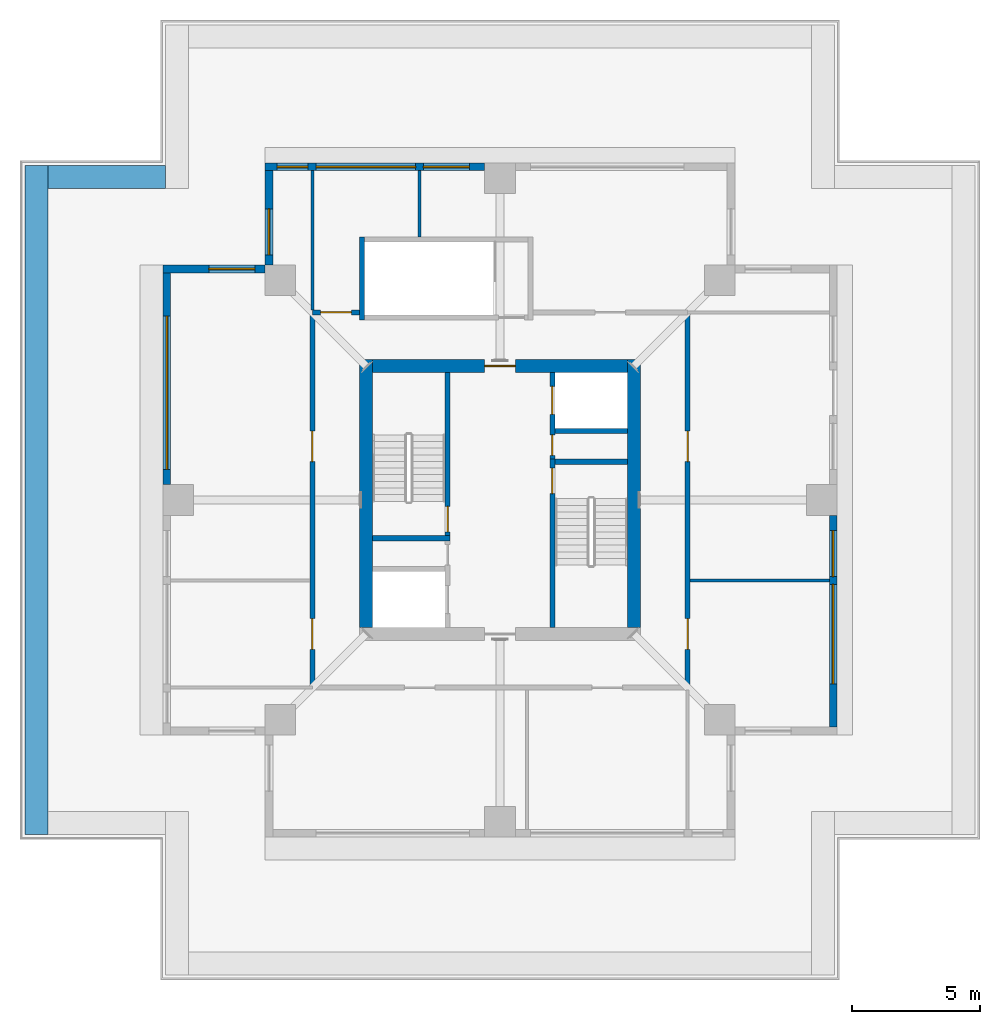
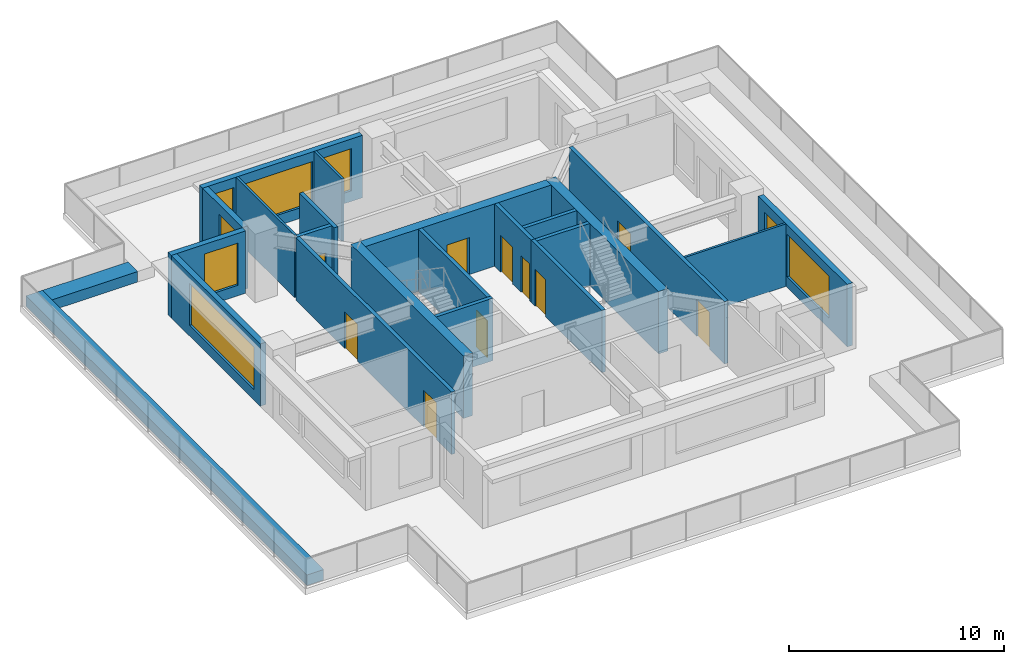
# One storey, part 4 of 8: 23 walls, 10 doors, 8 windows, 18 openings.
"""IFC4 building model written with IfcOpenShell, lengths in metres."""

import ifcopenshell
import ifcopenshell.guid

model = None  # the IFC model being written
_history = None  # IfcOwnerHistory: only IFC2X3 demands one
_inside = {}  # id of a spatial element -> (the spatial element, [elements in it])
_under = {}  # id of a project, library or spatial element -> (it, [spatial elements below it])
_declared = {}  # id of a project -> (the project, [libraries it declares])
_typed = {}  # id of a type object -> (the type object, [elements of that type])
_made_of = {}  # id of a material, layer set ... -> (it, [elements and type objects made of it])


def new_model(schema):
    """Start an empty IFC model of exactly this schema.

    Asked for "IFC4X3", IfcOpenShell would pick the latest addendum, in which some entities
    have other attributes; the version numbers below select the first issue.
    IFC2X3 requires an IfcOwnerHistory on every rooted entity: one is made here for all.
    """
    global model, _history
    if schema == "IFC4X3":
        model = ifcopenshell.file(schema_version=(4, 3, 0, 0))
    else:
        model = ifcopenshell.file(schema=schema)
    _inside.clear()
    _under.clear()
    _declared.clear()
    _typed.clear()
    _made_of.clear()
    _history = None
    if model.schema == "IFC2X3":
        org = make("IfcOrganization", Name="unknown")
        user = make(
            "IfcPersonAndOrganization",
            ThePerson=make("IfcPerson", FamilyName="unknown"),
            TheOrganization=org,
        )
        app = make(
            "IfcApplication",
            ApplicationDeveloper=org,
            Version="unknown",
            ApplicationFullName="unknown",
            ApplicationIdentifier="unknown",
        )
        _history = make(
            "IfcOwnerHistory",
            OwningUser=user,
            OwningApplication=app,
            ChangeAction="ADDED",
            CreationDate=0,
        )
    return model


def make(cls, **values):
    """One entity of the class cls with the attributes given. An attribute that is None is left unset."""
    return model.create_entity(
        cls, **{name: value for name, value in values.items() if value is not None}
    )


def rooted(cls, **values):
    """An entity with a GlobalId (a new one), such as an element, a storey or a relation."""
    return make(cls, GlobalId=ifcopenshell.guid.new(), OwnerHistory=_history, **values)


def si_unit(unit_type, name, prefix=None):
    """IfcSIUnit, for example si_unit("LENGTHUNIT", "METRE", prefix="MILLI")."""
    return make("IfcSIUnit", UnitType=unit_type, Prefix=prefix, Name=name)


def assignment(units):
    """IfcUnitAssignment: the units of a project."""
    return None if units is None else make("IfcUnitAssignment", Units=units)


def point(xyz):
    """IfcCartesianPoint."""
    return None if xyz is None else make("IfcCartesianPoint", Coordinates=xyz)


def direction(xyz):
    """IfcDirection."""
    return None if xyz is None else make("IfcDirection", DirectionRatios=xyz)


def frame(location, z_axis=None, x_axis=None):
    """IfcAxis2Placement3D, a coordinate frame: its origin and axes. An axis left out is left unset."""
    return make(
        "IfcAxis2Placement3D",
        Location=point(location),
        Axis=direction(z_axis),
        RefDirection=direction(x_axis),
    )


def frame_2d(location, x_axis=None):
    """IfcAxis2Placement2D, a coordinate frame in the plane: its origin and x axis."""
    return make(
        "IfcAxis2Placement2D", Location=point(location), RefDirection=direction(x_axis)
    )


def origin():
    """The frame at (0, 0, 0) with its axes left unset."""
    return frame((0.0, 0.0, 0.0))


def place(relative_to, where):
    """IfcLocalPlacement: puts the frame where relative to a parent placement (None: the world)."""
    return make(
        "IfcLocalPlacement", PlacementRelTo=relative_to, RelativePlacement=where
    )


def context(
    kind, dimensions, precision=None, world=None, true_north=None, identifier=None
):
    """IfcGeometricRepresentationContext, for example the 3D "Model" context."""
    return make(
        "IfcGeometricRepresentationContext",
        ContextIdentifier=identifier,
        ContextType=kind,
        CoordinateSpaceDimension=dimensions,
        Precision=precision,
        WorldCoordinateSystem=world,
        TrueNorth=true_north,
    )


def subcontext(parent, identifier, kind, view, scale=None):
    """IfcGeometricRepresentationSubContext, for example "Body" below "Model"."""
    return make(
        "IfcGeometricRepresentationSubContext",
        ContextIdentifier=identifier,
        ContextType=kind,
        ParentContext=parent,
        TargetScale=scale,
        TargetView=view,
    )


def project(units=None, contexts=None):
    """IfcProject with its units and contexts."""
    return rooted(
        "IfcProject",
        Name="project",
        RepresentationContexts=contexts,
        UnitsInContext=assignment(units),
    )


def spatial(cls, under=None, at=None, **own):
    """A site, building, storey or space (cls), placed at a placement, below another one or the project."""
    s = rooted(cls, ObjectPlacement=at, **own)
    if under is not None:
        _under.setdefault(under.id(), (under, []))[1].append(s)
    return s


def profile(cls, at=None, kind="AREA", **sizes):
    """A parametric profile (cls). Its sizes go by their IFC names, for example OverallWidth=200.0."""
    return make(cls, ProfileType=kind, Position=at, **sizes)


def rectangle(**sizes):
    """IfcRectangleProfileDef."""
    return profile("IfcRectangleProfileDef", **sizes)


def extrude(swept, where, along, depth):
    """IfcExtrudedAreaSolid: the profile swept, set in the frame where, extruded along a direction by depth."""
    return make(
        "IfcExtrudedAreaSolid",
        SweptArea=swept,
        Position=where,
        ExtrudedDirection=direction(along),
        Depth=depth,
    )


def shape(context_of_items, identifier, shape_type, items):
    """IfcShapeRepresentation: the items that make up one representation, for example the "Body"."""
    return make(
        "IfcShapeRepresentation",
        ContextOfItems=context_of_items,
        RepresentationIdentifier=identifier,
        RepresentationType=shape_type,
        Items=items,
    )


def material(Name=None, Category=None):
    """IfcMaterial."""
    return make("IfcMaterial", Name=Name, Category=Category)


def layer(
    of_material, thickness, ventilated=None, Name=None, Category=None, Priority=None
):
    """IfcMaterialLayer: one layer of a wall or slab, of a material (None: an air gap)."""
    return make(
        "IfcMaterialLayer",
        Material=of_material,
        LayerThickness=thickness,
        IsVentilated=ventilated,
        Name=Name,
        Category=Category,
        Priority=Priority,
    )


def layer_set(layers, Name=None):
    """IfcMaterialLayerSet."""
    return make("IfcMaterialLayerSet", MaterialLayers=layers, LayerSetName=Name)


def made_of(thing, what):
    """Note that an element or type object is made of a material, layer set ...; save() writes the relation."""
    if what is not None:
        _made_of.setdefault(what.id(), (what, []))[1].append(thing)
    return thing


def type_object(cls, material=None, **own):
    """A type object (cls), such as IfcWallType, which elements share."""
    return made_of(rooted(cls, **own), material)


def element(
    cls,
    number,
    at=None,
    inside=None,
    cuts=None,
    type_object=None,
    material=None,
    context=None,
    identifier="Body",
    shape_type=None,
    held_by="IfcProductDefinitionShape",
    body=None,
    shapes=None,
    **own,
):
    """One element of the class cls, such as IfcWall. Its Tag is "e" and its number.

    at: its placement. inside: the storey or other place that contains it. cuts: it is an
    opening in that element (IfcRelVoidsElement). A single representation is given by context,
    identifier, shape_type and body (its items); several are given by shapes. held_by: the class
    of the entity that holds the representations. save() writes the other relations.
    """
    e = rooted(cls, Tag="e%d" % number, ObjectPlacement=at, **own)
    if body is not None:
        shapes = [shape(context, identifier, shape_type, body)]
    if shapes is not None:
        e.Representation = make(held_by, Representations=shapes)
    if inside is not None:
        _inside.setdefault(inside.id(), (inside, []))[1].append(e)
    if cuts is not None:
        rooted(
            "IfcRelVoidsElement", RelatingBuildingElement=cuts, RelatedOpeningElement=e
        )
    if type_object is not None:
        _typed.setdefault(type_object.id(), (type_object, []))[1].append(e)
    return made_of(e, material)


def fill(opening, filler):
    """IfcRelFillsElement: the door or window that sits in an opening."""
    return rooted(
        "IfcRelFillsElement",
        RelatingOpeningElement=opening,
        RelatedBuildingElement=filler,
    )


def aggregate(whole, parts):
    """IfcRelAggregates: a whole, such as a stair, and the parts it consists of."""
    return rooted("IfcRelAggregates", RelatingObject=whole, RelatedObjects=parts)


def save(model, path):
    """Write the relations noted so far, then the file.

    IfcRelAggregates (storeys below a building ...), IfcRelContainedInSpatialStructure (elements
    in a storey), IfcRelDefinesByType, IfcRelAssociatesMaterial and IfcRelDeclares: one each for
    every whole, place, type object, material and project.
    """
    for whole, parts in _under.values():
        aggregate(whole, parts)
    for where, things in _inside.values():
        rooted(
            "IfcRelContainedInSpatialStructure",
            RelatedElements=things,
            RelatingStructure=where,
        )
    for kind, things in _typed.values():
        rooted("IfcRelDefinesByType", RelatedObjects=things, RelatingType=kind)
    for what, things in _made_of.values():
        rooted("IfcRelAssociatesMaterial", RelatedObjects=things, RelatingMaterial=what)
    for by, libraries in _declared.values():
        rooted("IfcRelDeclares", RelatingContext=by, RelatedDefinitions=libraries)
    model.write(path)


model = new_model("IFC4")

# Units and contexts
model_context = context("Model", 3, precision=1e-05, world=origin(), true_north=direction((0.0, 1.0)))
body_context = subcontext(model_context, "Body", "Model", "MODEL_VIEW")
ifc_project = project(units=[si_unit("LENGTHUNIT", "METRE"), si_unit("AREAUNIT", "SQUARE_METRE"), si_unit("VOLUMEUNIT", "CUBIC_METRE"), si_unit("PLANEANGLEUNIT", "RADIAN"), si_unit("MASSUNIT", "GRAM", prefix="KILO")], contexts=[model_context])

# Site, building, storey
site_placement = place(None, origin())
site = spatial("IfcSite", under=ifc_project, at=site_placement, CompositionType="ELEMENT")
building_placement = place(site_placement, origin())
building = spatial("IfcBuilding", under=site, at=building_placement, Name="Khepri Terraces", CompositionType="ELEMENT")
storey_placement = place(building_placement, frame((0.0, 0.0, 312.300048828125)))
storey = spatial("IfcBuildingStorey", under=building, at=storey_placement, Name="L75", CompositionType="ELEMENT", Elevation=312.300048828125)

# Wall, opening, door
ifc_material_1 = material(Name="Concrete C40/50", Category="concrete")
ifc_layer_1 = layer(ifc_material_1, 0.199951171875, Name="Concrete C40/50", Category="concrete")
ifc_layer_set_1 = layer_set([ifc_layer_1], Name="Concrete C40/50")
wall_type_1 = type_object("IfcWallType", Name="Core wall 200 C40/50", PredefinedType="SHEAR", material=ifc_layer_set_1)
wall_1_placement = place(storey_placement, frame((2.050048828125, -5.0, 0.0), z_axis=(0.0, 0.0, 1.0), x_axis=(0.0, 1.0, 0.0)))
wall_1 = element("IfcWall", 1, at=wall_1_placement, inside=storey, type_object=wall_type_1, Name="Core wall ST01 L75", PredefinedType="SHEAR", context=body_context, shape_type="SweptSolid", body=[
    extrude(rectangle(XDim=6.60009765625, YDim=0.199951171875, at=frame_2d((3.300048828125, 0.0))), origin(), (0.0, 0.0, 1.0), 3.550048828125),
])
opening_1_placement = place(wall_1_placement, frame((5.25, 0.0, 0.0)))
opening_1 = element("IfcOpeningElement", 2, at=opening_1_placement, cuts=wall_1, Name="Opening L75-C04", PredefinedType="OPENING", context=body_context, shape_type="SweptSolid", body=[
    extrude(rectangle(XDim=1.0, YDim=2.10009765625, at=frame_2d((0.5, 1.050048828125))), frame((0.0, 0.10986328125, 0.0), z_axis=(0.0, -1.0, 0.0), x_axis=(1.0, 0.0, 0.0)), (0.0, 0.0, 1.0), 0.219970703125),
])
ifc_material_2 = material(Name="Painted steel", Category="steel")
door_type_1 = type_object("IfcDoorType", Name="DR-CORE-STAIR-1000", OperationType="NOTDEFINED", PredefinedType="DOOR", material=ifc_material_2)
door_1_placement = place(opening_1_placement, frame((1.0, 0.0, 0.0), z_axis=(0.0, 0.0, 1.0), x_axis=(-1.0, 0.0, 0.0)))
door_1 = element("IfcDoor", 3, at=door_1_placement, inside=storey, type_object=door_type_1, Name="Stair door L75-C04", OperationType="SINGLE_SWING_LEFT", OverallHeight=2.10009765625, OverallWidth=1.0, PredefinedType="DOOR", context=body_context, shape_type="SweptSolid", body=[
    extrude(rectangle(XDim=1.0, YDim=2.10009765625, at=frame_2d((0.5, 1.050048828125))), frame((0.0, 0.02490234375, 0.0), z_axis=(0.0, -1.0, 0.0), x_axis=(1.0, 0.0, 0.0)), (0.0, 0.0, 1.0), 0.050048828125),
])
fill(opening_1, door_1)

# Wall
wall_2_placement = place(storey_placement, frame((-5.0, -1.5, 0.0), z_axis=(0.0, 0.0, 1.0), x_axis=(1.0, 0.0, 0.0)))
element("IfcWall", 4, at=wall_2_placement, inside=storey, type_object=wall_type_1, Name="Core wall ST02 L75", PredefinedType="SHEAR", context=body_context, shape_type="SweptSolid", body=[
    extrude(rectangle(XDim=3.050048828125, YDim=0.199951171875, at=frame_2d((1.52490234375, 0.0))), origin(), (0.0, 0.0, 1.0), 3.550048828125),
])

# Wall, opening, door
wall_3_placement = place(storey_placement, frame((-2.050048828125, -1.39990234375, 0.0), z_axis=(0.0, 0.0, 1.0), x_axis=(0.0, 1.0, 0.0)))
wall_3 = element("IfcWall", 5, at=wall_3_placement, inside=storey, type_object=wall_type_1, Name="Core wall ST03 L75", PredefinedType="SHEAR", context=body_context, shape_type="SweptSolid", body=[
    extrude(rectangle(XDim=6.39990234375, YDim=0.199951171875, at=frame_2d((3.199951171875, 0.0))), origin(), (0.0, 0.0, 1.0), 3.550048828125),
])
opening_2_placement = place(wall_3_placement, frame((0.14990234375, 0.0, 0.0)))
opening_2 = element("IfcOpeningElement", 6, at=opening_2_placement, cuts=wall_3, Name="Opening L75-C03", PredefinedType="OPENING", context=body_context, shape_type="SweptSolid", body=[
    extrude(rectangle(XDim=1.0, YDim=2.10009765625, at=frame_2d((0.5, 1.050048828125))), frame((0.0, 0.10986328125, 0.0), z_axis=(0.0, -1.0, 0.0), x_axis=(1.0, 0.0, 0.0)), (0.0, 0.0, 1.0), 0.219970703125),
])
door_2_placement = place(opening_2_placement, origin())
door_2 = element("IfcDoor", 7, at=door_2_placement, inside=storey, type_object=door_type_1, Name="Stair door L75-C03", OperationType="SINGLE_SWING_LEFT", OverallHeight=2.10009765625, OverallWidth=1.0, PredefinedType="DOOR", context=body_context, shape_type="SweptSolid", body=[
    extrude(rectangle(XDim=1.0, YDim=2.10009765625, at=frame_2d((0.5, 1.050048828125))), frame((0.0, 0.02490234375, 0.0), z_axis=(0.0, -1.0, 0.0), x_axis=(1.0, 0.0, 0.0)), (0.0, 0.0, 1.0), 0.050048828125),
])
fill(opening_2, door_2)

# Wall
wall_4_placement = place(storey_placement, frame((2.14990234375, 1.5, 0.0), z_axis=(0.0, 0.0, 1.0), x_axis=(1.0, 0.0, 0.0)))
element("IfcWall", 8, at=wall_4_placement, inside=storey, type_object=wall_type_1, Name="Core wall ST04 L75", PredefinedType="SHEAR", context=body_context, shape_type="SweptSolid", body=[
    extrude(rectangle(XDim=2.85009765625, YDim=0.199951171875, at=frame_2d((1.425048828125, 0.0))), origin(), (0.0, 0.0, 1.0), 3.550048828125),
])

# Wall, openings, doors
wall_5_placement = place(storey_placement, frame((2.050048828125, 1.60009765625, 0.0), z_axis=(0.0, 0.0, 1.0), x_axis=(0.0, 1.0, 0.0)))
wall_5 = element("IfcWall", 9, at=wall_5_placement, inside=storey, type_object=wall_type_1, Name="Core wall SH03 L75", PredefinedType="SHEAR", context=body_context, shape_type="SweptSolid", body=[
    extrude(rectangle(XDim=3.39990234375, YDim=0.199951171875, at=frame_2d((1.699951171875, 0.0))), origin(), (0.0, 0.0, 1.0), 3.550048828125),
])
opening_3_placement = place(wall_5_placement, frame((1.75, 0.0, 0.0)))
opening_3 = element("IfcOpeningElement", 10, at=opening_3_placement, cuts=wall_5, Name="Opening L75-C01", PredefinedType="OPENING", context=body_context, shape_type="SweptSolid", body=[
    extrude(rectangle(XDim=1.10009765625, YDim=2.10009765625, at=frame_2d((0.550048828125, 1.050048828125))), frame((0.0, 0.10986328125, 0.0), z_axis=(0.0, -1.0, 0.0), x_axis=(1.0, 0.0, 0.0)), (0.0, 0.0, 1.0), 0.219970703125),
])
opening_4_placement = place(wall_5_placement, frame((0.14990234375, 0.0, 0.0)))
opening_4 = element("IfcOpeningElement", 11, at=opening_4_placement, cuts=wall_5, Name="Opening L75-C05", PredefinedType="OPENING", context=body_context, shape_type="SweptSolid", body=[
    extrude(rectangle(XDim=0.800048828125, YDim=2.10009765625, at=frame_2d((0.39990234375, 1.050048828125))), frame((0.0, 0.10986328125, 0.0), z_axis=(0.0, -1.0, 0.0), x_axis=(1.0, 0.0, 0.0)), (0.0, 0.0, 1.0), 0.219970703125),
])
ifc_material_3 = material(Name="Stainless steel 304", Category="steel")
door_type_2 = type_object("IfcDoorType", Name="DR-CORE-FF-LANDING-1100", OperationType="NOTDEFINED", PredefinedType="DOOR", material=ifc_material_3)
door_3_placement = place(opening_3_placement, origin())
door_3 = element("IfcDoor", 12, at=door_3_placement, inside=storey, type_object=door_type_2, Name="Firefighting lift landing door L75-C01", OperationType="SLIDING_TO_LEFT", OverallHeight=2.10009765625, OverallWidth=1.10009765625, PredefinedType="DOOR", context=body_context, shape_type="SweptSolid", body=[
    extrude(rectangle(XDim=1.10009765625, YDim=2.10009765625, at=frame_2d((0.550048828125, 1.050048828125))), frame((0.0, 0.02490234375, 0.0), z_axis=(0.0, -1.0, 0.0), x_axis=(1.0, 0.0, 0.0)), (0.0, 0.0, 1.0), 0.050048828125),
])
fill(opening_3, door_3)
door_type_3 = type_object("IfcDoorType", Name="DR-CORE-RISER-800", OperationType="NOTDEFINED", PredefinedType="DOOR", material=ifc_material_2)
door_4_placement = place(opening_4_placement, frame((0.800048828125, 0.0, 0.0), z_axis=(0.0, 0.0, 1.0), x_axis=(-1.0, 0.0, 0.0)))
door_4 = element("IfcDoor", 13, at=door_4_placement, inside=storey, type_object=door_type_3, Name="Riser door L75-C05", OperationType="SINGLE_SWING_RIGHT", OverallHeight=2.10009765625, OverallWidth=0.800048828125, PredefinedType="DOOR", context=body_context, shape_type="SweptSolid", body=[
    extrude(rectangle(XDim=0.800048828125, YDim=2.10009765625, at=frame_2d((0.39990234375, 1.050048828125))), frame((0.0, 0.02490234375, 0.0), z_axis=(0.0, -1.0, 0.0), x_axis=(1.0, 0.0, 0.0)), (0.0, 0.0, 1.0), 0.050048828125),
])
fill(opening_4, door_4)

# Walls
wall_6_placement = place(storey_placement, frame((2.14990234375, 2.699951171875, 0.0), z_axis=(0.0, 0.0, 1.0), x_axis=(1.0, 0.0, 0.0)))
element("IfcWall", 14, at=wall_6_placement, inside=storey, type_object=wall_type_1, Name="Core wall SH04 L75", PredefinedType="SHEAR", context=body_context, shape_type="SweptSolid", body=[
    extrude(rectangle(XDim=2.85009765625, YDim=0.199951171875, at=frame_2d((1.425048828125, 0.0))), origin(), (0.0, 0.0, 1.0), 3.550048828125),
])
wall_7_placement = place(storey_placement, frame((-5.39990234375, 7.050048828125, 0.0), z_axis=(0.0, 0.0, 1.0), x_axis=(0.0, 1.0, 0.0)))
element("IfcWall", 15, at=wall_7_placement, inside=storey, type_object=wall_type_1, Name="Core wall S3W L75", PredefinedType="SHEAR", context=body_context, shape_type="SweptSolid", body=[
    extrude(rectangle(XDim=3.25, YDim=0.199951171875, at=frame_2d((1.625, 0.0))), origin(), (0.0, 0.0, 1.0), 3.550048828125),
])
ifc_layer_2 = layer(ifc_material_1, 0.5, Name="Concrete C40/50", Category="concrete")
ifc_layer_set_2 = layer_set([ifc_layer_2], Name="Concrete C40/50")
wall_type_2 = type_object("IfcWallType", Name="Core wall 500 C40/50", PredefinedType="SHEAR", material=ifc_layer_set_2)
for number, where, z_axis, x_axis, name in (
    (16, (-5.25, -5.0, 0.0), (0.0, 0.0, 1.0), (0.0, 1.0, 0.0), "Core wall BX02 L75"),
    (17, (5.25, -5.0, 0.0), (0.0, 0.0, 1.0), (0.0, 1.0, 0.0), "Core wall BX03 L75"),
):
    element("IfcWall", number, at=place(storey_placement, frame(where, z_axis=z_axis, x_axis=x_axis)), inside=storey, type_object=wall_type_2, Name=name, PredefinedType="SHEAR", context=body_context, shape_type="SweptSolid", body=[
        extrude(rectangle(XDim=10.5, YDim=0.5, at=frame_2d((5.25, 0.0))), origin(), (0.0, 0.0, 1.0), 3.550048828125),
    ])

# Wall, opening, door
wall_8_placement = place(storey_placement, frame((-5.0, 5.25, 0.0), z_axis=(0.0, 0.0, 1.0), x_axis=(1.0, 0.0, 0.0)))
wall_8 = element("IfcWall", 18, at=wall_8_placement, inside=storey, type_object=wall_type_2, Name="Core wall BX04 L75", PredefinedType="SHEAR", context=body_context, shape_type="SweptSolid", body=[
    extrude(rectangle(XDim=10.0, YDim=0.5, at=frame_2d((5.0, 0.0))), origin(), (0.0, 0.0, 1.0), 3.550048828125),
])
opening_5_placement = place(wall_8_placement, frame((4.39990234375, 0.0, 0.0)))
opening_5 = element("IfcOpeningElement", 19, at=opening_5_placement, cuts=wall_8, Name="Opening L75-C08", PredefinedType="OPENING", context=body_context, shape_type="SweptSolid", body=[
    extrude(rectangle(XDim=1.199951171875, YDim=2.10009765625, at=frame_2d((0.60009765625, 1.050048828125))), frame((0.0, 0.260009765625, 0.0), z_axis=(0.0, -1.0, 0.0), x_axis=(1.0, 0.0, 0.0)), (0.0, 0.0, 1.0), 0.52001953125),
])
door_type_4 = type_object("IfcDoorType", Name="DR-CORE-FF-LOBBY-1200", OperationType="NOTDEFINED", PredefinedType="DOOR", material=ifc_material_2)
door_5_placement = place(opening_5_placement, origin())
door_5 = element("IfcDoor", 20, at=door_5_placement, inside=storey, type_object=door_type_4, Name="Firefighting lobby door L75-C08", OperationType="SINGLE_SWING_RIGHT", OverallHeight=2.10009765625, OverallWidth=1.199951171875, PredefinedType="DOOR", context=body_context, shape_type="SweptSolid", body=[
    extrude(rectangle(XDim=1.199951171875, YDim=2.10009765625, at=frame_2d((0.60009765625, 1.050048828125))), frame((0.0, 0.02490234375, 0.0), z_axis=(0.0, -1.0, 0.0), x_axis=(1.0, 0.0, 0.0)), (0.0, 0.0, 1.0), 0.050048828125),
])
fill(opening_5, door_5)

# Wall, openings, doors
ifc_material_4 = material(Name="Fire-rated gypsum plasterboard partition, mineral wool")
ifc_layer_3 = layer(ifc_material_4, 0.199951171875, Name="Fire-rated gypsum plasterboard partition, mineral wool")
ifc_layer_set_3 = layer_set([ifc_layer_3], Name="Fire-rated gypsum plasterboard partition, mineral wool")
wall_type_3 = type_object("IfcWallType", Name="WL-CORR-200", PredefinedType="PARTITIONING", material=ifc_layer_set_3)
wall_9_placement = place(storey_placement, frame((-7.35009765625, -7.25, 0.0), z_axis=(0.0, 0.0, 1.0), x_axis=(0.0, 1.0, 0.0)))
wall_9 = element("IfcWall", 21, at=wall_9_placement, inside=storey, type_object=wall_type_3, Name="Partition P-005 L75", PredefinedType="PARTITIONING", context=body_context, shape_type="SweptSolid", body=[
    extrude(rectangle(XDim=14.5, YDim=0.199951171875, at=frame_2d((7.25, 0.0))), origin(), (0.0, 0.0, 1.0), 3.550048828125),
])
opening_6_placement = place(wall_9_placement, frame((8.75, 0.0, 0.0)))
opening_6 = element("IfcOpeningElement", 22, at=opening_6_placement, cuts=wall_9, Name="Opening D6", PredefinedType="OPENING", context=body_context, shape_type="SweptSolid", body=[
    extrude(rectangle(XDim=1.199951171875, YDim=2.10009765625, at=frame_2d((0.60009765625, 1.050048828125))), frame((0.0, 0.10986328125, 0.0), z_axis=(0.0, -1.0, 0.0), x_axis=(1.0, 0.0, 0.0)), (0.0, 0.0, 1.0), 0.219970703125),
])
opening_7_placement = place(wall_9_placement, frame((1.39990234375, 0.0, 0.0)))
opening_7 = element("IfcOpeningElement", 23, at=opening_7_placement, cuts=wall_9, Name="Opening D6", PredefinedType="OPENING", context=body_context, shape_type="SweptSolid", body=[
    extrude(rectangle(XDim=1.199951171875, YDim=2.10009765625, at=frame_2d((0.60009765625, 1.050048828125))), frame((0.0, 0.10986328125, 0.0), z_axis=(0.0, -1.0, 0.0), x_axis=(1.0, 0.0, 0.0)), (0.0, 0.0, 1.0), 0.219970703125),
])
ifc_material_5 = material(Name="Timber door leaf, public room, fire-rated", Category="wood")
door_type_5 = type_object("IfcDoorType", Name="DR-PUB-1200", OperationType="NOTDEFINED", PredefinedType="DOOR", material=ifc_material_5)
door_6_placement = place(opening_6_placement, origin())
door_6 = element("IfcDoor", 24, at=door_6_placement, inside=storey, type_object=door_type_5, Name="Door Sky Gymnasium", OperationType="SINGLE_SWING_RIGHT", OverallHeight=2.10009765625, OverallWidth=1.199951171875, PredefinedType="DOOR", context=body_context, shape_type="SweptSolid", body=[
    extrude(rectangle(XDim=1.199951171875, YDim=2.10009765625, at=frame_2d((0.60009765625, 1.050048828125))), frame((0.0, 0.02490234375, 0.0), z_axis=(0.0, -1.0, 0.0), x_axis=(1.0, 0.0, 0.0)), (0.0, 0.0, 1.0), 0.050048828125),
])
fill(opening_6, door_6)
door_7_placement = place(opening_7_placement, origin())
door_7 = element("IfcDoor", 25, at=door_7_placement, inside=storey, type_object=door_type_5, Name="Door Changing Store", OperationType="SINGLE_SWING_LEFT", OverallHeight=2.10009765625, OverallWidth=1.199951171875, PredefinedType="DOOR", context=body_context, shape_type="SweptSolid", body=[
    extrude(rectangle(XDim=1.199951171875, YDim=2.10009765625, at=frame_2d((0.60009765625, 1.050048828125))), frame((0.0, 0.02490234375, 0.0), z_axis=(0.0, -1.0, 0.0), x_axis=(1.0, 0.0, 0.0)), (0.0, 0.0, 1.0), 0.050048828125),
])
fill(opening_7, door_7)

wall_10_placement = place(storey_placement, frame((7.35009765625, -7.25, 0.0), z_axis=(0.0, 0.0, 1.0), x_axis=(0.0, 1.0, 0.0)))
wall_10 = element("IfcWall", 26, at=wall_10_placement, inside=storey, type_object=wall_type_3, Name="Partition P-006 L75", PredefinedType="PARTITIONING", context=body_context, shape_type="SweptSolid", body=[
    extrude(rectangle(XDim=14.5, YDim=0.199951171875, at=frame_2d((7.25, 0.0))), origin(), (0.0, 0.0, 1.0), 3.550048828125),
])
opening_8_placement = place(wall_10_placement, frame((1.39990234375, 0.0, 0.0)))
opening_8 = element("IfcOpeningElement", 27, at=opening_8_placement, cuts=wall_10, Name="Opening D6", PredefinedType="OPENING", context=body_context, shape_type="SweptSolid", body=[
    extrude(rectangle(XDim=1.199951171875, YDim=2.10009765625, at=frame_2d((0.60009765625, 1.050048828125))), frame((0.0, 0.10986328125, 0.0), z_axis=(0.0, -1.0, 0.0), x_axis=(1.0, 0.0, 0.0)), (0.0, 0.0, 1.0), 0.219970703125),
])
opening_9_placement = place(wall_10_placement, frame((8.75, 0.0, 0.0)))
opening_9 = element("IfcOpeningElement", 28, at=opening_9_placement, cuts=wall_10, Name="Opening D6", PredefinedType="OPENING", context=body_context, shape_type="SweptSolid", body=[
    extrude(rectangle(XDim=1.199951171875, YDim=2.10009765625, at=frame_2d((0.60009765625, 1.050048828125))), frame((0.0, 0.10986328125, 0.0), z_axis=(0.0, -1.0, 0.0), x_axis=(1.0, 0.0, 0.0)), (0.0, 0.0, 1.0), 0.219970703125),
])
door_8_placement = place(opening_8_placement, frame((1.199951171875, 0.0, 0.0), z_axis=(0.0, 0.0, 1.0), x_axis=(-1.0, 0.0, 0.0)))
door_8 = element("IfcDoor", 29, at=door_8_placement, inside=storey, type_object=door_type_5, Name="Door Spa Treatment Suite", OperationType="SINGLE_SWING_RIGHT", OverallHeight=2.10009765625, OverallWidth=1.199951171875, PredefinedType="DOOR", context=body_context, shape_type="SweptSolid", body=[
    extrude(rectangle(XDim=1.199951171875, YDim=2.10009765625, at=frame_2d((0.60009765625, 1.050048828125))), frame((0.0, 0.02490234375, 0.0), z_axis=(0.0, -1.0, 0.0), x_axis=(1.0, 0.0, 0.0)), (0.0, 0.0, 1.0), 0.050048828125),
])
fill(opening_8, door_8)
door_9_placement = place(opening_9_placement, frame((1.199951171875, 0.0, 0.0), z_axis=(0.0, 0.0, 1.0), x_axis=(-1.0, 0.0, 0.0)))
door_9 = element("IfcDoor", 30, at=door_9_placement, inside=storey, type_object=door_type_5, Name="Door Treatment Room", OperationType="SINGLE_SWING_LEFT", OverallHeight=2.10009765625, OverallWidth=1.199951171875, PredefinedType="DOOR", context=body_context, shape_type="SweptSolid", body=[
    extrude(rectangle(XDim=1.199951171875, YDim=2.10009765625, at=frame_2d((0.60009765625, 1.050048828125))), frame((0.0, 0.02490234375, 0.0), z_axis=(0.0, -1.0, 0.0), x_axis=(1.0, 0.0, 0.0)), (0.0, 0.0, 1.0), 0.050048828125),
])
fill(opening_9, door_9)

# Wall, opening, door
wall_11_placement = place(storey_placement, frame((-7.35009765625, 7.35009765625, 0.0), z_axis=(0.0, 0.0, 1.0), x_axis=(1.0, 0.0, 0.0)))
wall_11 = element("IfcWall", 31, at=wall_11_placement, inside=storey, type_object=wall_type_3, Name="Partition P-009 L75", PredefinedType="PARTITIONING", context=body_context, shape_type="SweptSolid", body=[
    extrude(rectangle(XDim=1.85009765625, YDim=0.199951171875, at=frame_2d((0.925048828125, 0.0))), origin(), (0.0, 0.0, 1.0), 3.550048828125),
])
opening_10_placement = place(wall_11_placement, frame((0.324951171875, 0.0, 0.0)))
opening_10 = element("IfcOpeningElement", 32, at=opening_10_placement, cuts=wall_11, Name="Opening D6", PredefinedType="OPENING", context=body_context, shape_type="SweptSolid", body=[
    extrude(rectangle(XDim=1.199951171875, YDim=2.10009765625, at=frame_2d((0.60009765625, 1.050048828125))), frame((0.0, 0.10986328125, 0.0), z_axis=(0.0, -1.0, 0.0), x_axis=(1.0, 0.0, 0.0)), (0.0, 0.0, 1.0), 0.219970703125),
])
door_10_placement = place(opening_10_placement, origin())
door_10 = element("IfcDoor", 33, at=door_10_placement, inside=storey, type_object=door_type_5, Name="Door Wc", OperationType="SINGLE_SWING_RIGHT", OverallHeight=2.10009765625, OverallWidth=1.199951171875, PredefinedType="DOOR", context=body_context, shape_type="SweptSolid", body=[
    extrude(rectangle(XDim=1.199951171875, YDim=2.10009765625, at=frame_2d((0.60009765625, 1.050048828125))), frame((0.0, 0.02490234375, 0.0), z_axis=(0.0, -1.0, 0.0), x_axis=(1.0, 0.0, 0.0)), (0.0, 0.0, 1.0), 0.050048828125),
])
fill(opening_10, door_10)

# Wall, openings, windows
ifc_material_6 = material(Name="Precast concrete C50/60 warm stone", Category="masonry")
ifc_layer_4 = layer(ifc_material_6, 0.300048828125, Name="Precast concrete C50/60 warm stone", Category="masonry")
ifc_layer_set_4 = layer_set([ifc_layer_4], Name="Precast concrete C50/60 warm stone")
wall_type_4 = type_object("IfcWallType", Name="WL-EXT-PRECAST-300", PredefinedType="STANDARD", material=ifc_layer_set_4)
wall_12_placement = place(storey_placement, frame((13.050048828125, -8.89990234375, 0.0), z_axis=(0.0, 0.0, 1.0), x_axis=(0.0, 1.0, 0.0)))
wall_12 = element("IfcWall", 34, at=wall_12_placement, inside=storey, type_object=wall_type_4, Name="External wall L75 E", PredefinedType="STANDARD", context=body_context, shape_type="SweptSolid", body=[
    extrude(rectangle(XDim=8.2998046875, YDim=0.300048828125, at=frame_2d((4.14990234375, 0.0))), origin(), (0.0, 0.0, 1.0), 3.550048828125),
])
opening_11_placement = place(wall_12_placement, frame((1.699951171875, 0.0, 0.60009765625)))
opening_11 = element("IfcOpeningElement", 35, at=opening_11_placement, cuts=wall_12, Name="Opening WC2", PredefinedType="OPENING", context=body_context, shape_type="SweptSolid", body=[
    extrude(rectangle(XDim=3.89990234375, YDim=2.39990234375, at=frame_2d((1.949951171875, 1.199951171875))), frame((0.0, 0.16015625, 0.0), z_axis=(0.0, -1.0, 0.0), x_axis=(1.0, 0.0, 0.0)), (0.0, 0.0, 1.0), 0.320068359375),
])
opening_12_placement = place(wall_12_placement, frame((5.89990234375, 0.0, 0.60009765625)))
opening_12 = element("IfcOpeningElement", 36, at=opening_12_placement, cuts=wall_12, Name="Opening WC1", PredefinedType="OPENING", context=body_context, shape_type="SweptSolid", body=[
    extrude(rectangle(XDim=1.800048828125, YDim=2.39990234375, at=frame_2d((0.89990234375, 1.199951171875))), frame((0.0, 0.16015625, 0.0), z_axis=(0.0, -1.0, 0.0), x_axis=(1.0, 0.0, 0.0)), (0.0, 0.0, 1.0), 0.320068359375),
])
ifc_material_7 = material(Name="Clear glass", Category="glass")
window_type_1 = type_object("IfcWindowType", Name="WIN-CRN-1800x2400", PartitioningType="SINGLE_PANEL", PredefinedType="WINDOW", material=ifc_material_7)
window_1_placement = place(opening_12_placement, origin())
window_1 = element("IfcWindow", 37, at=window_1_placement, inside=storey, type_object=window_type_1, Name="Window L75 E", OverallHeight=2.39990234375, OverallWidth=1.800048828125, PartitioningType="SINGLE_PANEL", PredefinedType="WINDOW", context=body_context, shape_type="SweptSolid", body=[
    extrude(rectangle(XDim=1.800048828125, YDim=2.39990234375, at=frame_2d((0.89990234375, 1.199951171875))), frame((0.0, 0.030029296875, 0.0), z_axis=(0.0, -1.0, 0.0), x_axis=(1.0, 0.0, 0.0)), (0.0, 0.0, 1.0), 0.06005859375),
])
fill(opening_12, window_1)
window_type_2 = type_object("IfcWindowType", Name="WIN-CRN-3900x2400", PartitioningType="SINGLE_PANEL", PredefinedType="WINDOW", material=ifc_material_7)
window_2_placement = place(opening_11_placement, origin())
window_2 = element("IfcWindow", 38, at=window_2_placement, inside=storey, type_object=window_type_2, Name="Window L75 E", OverallHeight=2.39990234375, OverallWidth=3.89990234375, PartitioningType="SINGLE_PANEL", PredefinedType="WINDOW", context=body_context, shape_type="SweptSolid", body=[
    extrude(rectangle(XDim=3.89990234375, YDim=2.39990234375, at=frame_2d((1.949951171875, 1.199951171875))), frame((0.0, 0.030029296875, 0.0), z_axis=(0.0, -1.0, 0.0), x_axis=(1.0, 0.0, 0.0)), (0.0, 0.0, 1.0), 0.06005859375),
])
fill(opening_11, window_2)

wall_13_placement = place(storey_placement, frame((-0.60009765625, 13.050048828125, 0.0), z_axis=(0.0, 0.0, 1.0), x_axis=(-1.0, 0.0, 0.0)))
wall_13 = element("IfcWall", 39, at=wall_13_placement, inside=storey, type_object=wall_type_4, Name="External wall L75 N", PredefinedType="STANDARD", context=body_context, shape_type="SweptSolid", body=[
    extrude(rectangle(XDim=8.599853515625, YDim=0.300048828125, at=frame_2d((4.2998046875, 0.0))), origin(), (0.0, 0.0, 1.0), 3.550048828125),
])
opening_13_placement = place(wall_13_placement, frame((0.60009765625, 0.0, 0.60009765625)))
opening_13 = element("IfcOpeningElement", 40, at=opening_13_placement, cuts=wall_13, Name="Opening WC1", PredefinedType="OPENING", context=body_context, shape_type="SweptSolid", body=[
    extrude(rectangle(XDim=1.800048828125, YDim=2.39990234375, at=frame_2d((0.89990234375, 1.199951171875))), frame((0.0, 0.16015625, 0.0), z_axis=(0.0, -1.0, 0.0), x_axis=(1.0, 0.0, 0.0)), (0.0, 0.0, 1.0), 0.320068359375),
])
opening_14_placement = place(wall_13_placement, frame((2.699951171875, 0.0, 0.60009765625)))
opening_14 = element("IfcOpeningElement", 41, at=opening_14_placement, cuts=wall_13, Name="Opening WC2", PredefinedType="OPENING", context=body_context, shape_type="SweptSolid", body=[
    extrude(rectangle(XDim=3.89990234375, YDim=2.39990234375, at=frame_2d((1.949951171875, 1.199951171875))), frame((0.0, 0.16015625, 0.0), z_axis=(0.0, -1.0, 0.0), x_axis=(1.0, 0.0, 0.0)), (0.0, 0.0, 1.0), 0.320068359375),
])
opening_15_placement = place(wall_13_placement, frame((6.925048828125, 0.0, 0.89990234375)))
opening_15 = element("IfcOpeningElement", 42, at=opening_15_placement, cuts=wall_13, Name="Opening W4", PredefinedType="OPENING", context=body_context, shape_type="SweptSolid", body=[
    extrude(rectangle(XDim=1.199951171875, YDim=2.10009765625, at=frame_2d((0.60009765625, 1.050048828125))), frame((0.0, 0.16015625, 0.0), z_axis=(0.0, -1.0, 0.0), x_axis=(1.0, 0.0, 0.0)), (0.0, 0.0, 1.0), 0.320068359375),
])
window_3_placement = place(opening_13_placement, origin())
window_3 = element("IfcWindow", 43, at=window_3_placement, inside=storey, type_object=window_type_1, Name="Window L75 N", OverallHeight=2.39990234375, OverallWidth=1.800048828125, PartitioningType="SINGLE_PANEL", PredefinedType="WINDOW", context=body_context, shape_type="SweptSolid", body=[
    extrude(rectangle(XDim=1.800048828125, YDim=2.39990234375, at=frame_2d((0.89990234375, 1.199951171875))), frame((0.0, 0.030029296875, 0.0), z_axis=(0.0, -1.0, 0.0), x_axis=(1.0, 0.0, 0.0)), (0.0, 0.0, 1.0), 0.06005859375),
])
fill(opening_13, window_3)
window_4_placement = place(opening_14_placement, origin())
window_4 = element("IfcWindow", 44, at=window_4_placement, inside=storey, type_object=window_type_2, Name="Window L75 N", OverallHeight=2.39990234375, OverallWidth=3.89990234375, PartitioningType="SINGLE_PANEL", PredefinedType="WINDOW", context=body_context, shape_type="SweptSolid", body=[
    extrude(rectangle(XDim=3.89990234375, YDim=2.39990234375, at=frame_2d((1.949951171875, 1.199951171875))), frame((0.0, 0.030029296875, 0.0), z_axis=(0.0, -1.0, 0.0), x_axis=(1.0, 0.0, 0.0)), (0.0, 0.0, 1.0), 0.06005859375),
])
fill(opening_14, window_4)
window_type_3 = type_object("IfcWindowType", Name="WIN-RES-1200x2100", PartitioningType="SINGLE_PANEL", PredefinedType="WINDOW", material=ifc_material_7)
window_5_placement = place(opening_15_placement, origin())
window_5 = element("IfcWindow", 45, at=window_5_placement, inside=storey, type_object=window_type_3, Name="Window L75 N", OverallHeight=2.10009765625, OverallWidth=1.199951171875, PartitioningType="SINGLE_PANEL", PredefinedType="WINDOW", context=body_context, shape_type="SweptSolid", body=[
    extrude(rectangle(XDim=1.199951171875, YDim=2.10009765625, at=frame_2d((0.60009765625, 1.050048828125))), frame((0.0, 0.030029296875, 0.0), z_axis=(0.0, -1.0, 0.0), x_axis=(1.0, 0.0, 0.0)), (0.0, 0.0, 1.0), 0.06005859375),
])
fill(opening_15, window_5)

# Wall, opening, window
wall_14_placement = place(storey_placement, frame((-9.050048828125, 12.89990234375, 0.0), z_axis=(0.0, 0.0, 1.0), x_axis=(0.0, -1.0, 0.0)))
wall_14 = element("IfcWall", 46, at=wall_14_placement, inside=storey, type_object=wall_type_4, Name="External wall L75 W", PredefinedType="STANDARD", context=body_context, shape_type="SweptSolid", body=[
    extrude(rectangle(XDim=3.699951171875, YDim=0.300048828125, at=frame_2d((1.85009765625, 0.0))), origin(), (0.0, 0.0, 1.0), 3.550048828125),
])
opening_16_placement = place(wall_14_placement, frame((1.5, 0.0, 0.60009765625)))
opening_16 = element("IfcOpeningElement", 47, at=opening_16_placement, cuts=wall_14, Name="Opening WC1", PredefinedType="OPENING", context=body_context, shape_type="SweptSolid", body=[
    extrude(rectangle(XDim=1.800048828125, YDim=2.39990234375, at=frame_2d((0.89990234375, 1.199951171875))), frame((0.0, 0.16015625, 0.0), z_axis=(0.0, -1.0, 0.0), x_axis=(1.0, 0.0, 0.0)), (0.0, 0.0, 1.0), 0.320068359375),
])
window_6_placement = place(opening_16_placement, origin())
window_6 = element("IfcWindow", 48, at=window_6_placement, inside=storey, type_object=window_type_1, Name="Window L75 W", OverallHeight=2.39990234375, OverallWidth=1.800048828125, PartitioningType="SINGLE_PANEL", PredefinedType="WINDOW", context=body_context, shape_type="SweptSolid", body=[
    extrude(rectangle(XDim=1.800048828125, YDim=2.39990234375, at=frame_2d((0.89990234375, 1.199951171875))), frame((0.0, 0.030029296875, 0.0), z_axis=(0.0, -1.0, 0.0), x_axis=(1.0, 0.0, 0.0)), (0.0, 0.0, 1.0), 0.06005859375),
])
fill(opening_16, window_6)

wall_15_placement = place(storey_placement, frame((-9.199951171875, 9.050048828125, 0.0), z_axis=(0.0, 0.0, 1.0), x_axis=(-1.0, 0.0, 0.0)))
wall_15 = element("IfcWall", 49, at=wall_15_placement, inside=storey, type_object=wall_type_4, Name="External wall L75 N", PredefinedType="STANDARD", context=body_context, shape_type="SweptSolid", body=[
    extrude(rectangle(XDim=4.0, YDim=0.300048828125, at=frame_2d((2.0, 0.0))), origin(), (0.0, 0.0, 1.0), 3.550048828125),
])
opening_17_placement = place(wall_15_placement, frame((0.39990234375, 0.0, 0.60009765625)))
opening_17 = element("IfcOpeningElement", 50, at=opening_17_placement, cuts=wall_15, Name="Opening WC1", PredefinedType="OPENING", context=body_context, shape_type="SweptSolid", body=[
    extrude(rectangle(XDim=1.800048828125, YDim=2.39990234375, at=frame_2d((0.89990234375, 1.199951171875))), frame((0.0, 0.16015625, 0.0), z_axis=(0.0, -1.0, 0.0), x_axis=(1.0, 0.0, 0.0)), (0.0, 0.0, 1.0), 0.320068359375),
])
window_7_placement = place(opening_17_placement, origin())
window_7 = element("IfcWindow", 51, at=window_7_placement, inside=storey, type_object=window_type_1, Name="Window L75 N", OverallHeight=2.39990234375, OverallWidth=1.800048828125, PartitioningType="SINGLE_PANEL", PredefinedType="WINDOW", context=body_context, shape_type="SweptSolid", body=[
    extrude(rectangle(XDim=1.800048828125, YDim=2.39990234375, at=frame_2d((0.89990234375, 1.199951171875))), frame((0.0, 0.030029296875, 0.0), z_axis=(0.0, -1.0, 0.0), x_axis=(1.0, 0.0, 0.0)), (0.0, 0.0, 1.0), 0.06005859375),
])
fill(opening_17, window_7)

wall_16_placement = place(storey_placement, frame((-13.050048828125, 8.89990234375, 0.0), z_axis=(0.0, 0.0, 1.0), x_axis=(0.0, -1.0, 0.0)))
wall_16 = element("IfcWall", 52, at=wall_16_placement, inside=storey, type_object=wall_type_4, Name="External wall L75 W", PredefinedType="STANDARD", context=body_context, shape_type="SweptSolid", body=[
    extrude(rectangle(XDim=8.2998046875, YDim=0.300048828125, at=frame_2d((4.14990234375, 0.0))), origin(), (0.0, 0.0, 1.0), 3.550048828125),
])
opening_18_placement = place(wall_16_placement, frame((1.699951171875, 0.0, 0.60009765625)))
opening_18 = element("IfcOpeningElement", 53, at=opening_18_placement, cuts=wall_16, Name="Opening WC3", PredefinedType="OPENING", context=body_context, shape_type="SweptSolid", body=[
    extrude(rectangle(XDim=6.0, YDim=2.39990234375, at=frame_2d((3.0, 1.199951171875))), frame((0.0, 0.16015625, 0.0), z_axis=(0.0, -1.0, 0.0), x_axis=(1.0, 0.0, 0.0)), (0.0, 0.0, 1.0), 0.320068359375),
])
window_type_4 = type_object("IfcWindowType", Name="WIN-CRN-6000x2400", PartitioningType="SINGLE_PANEL", PredefinedType="WINDOW", material=ifc_material_7)
window_8_placement = place(opening_18_placement, origin())
window_8 = element("IfcWindow", 54, at=window_8_placement, inside=storey, type_object=window_type_4, Name="Window L75 W", OverallHeight=2.39990234375, OverallWidth=6.0, PartitioningType="SINGLE_PANEL", PredefinedType="WINDOW", context=body_context, shape_type="SweptSolid", body=[
    extrude(rectangle(XDim=6.0, YDim=2.39990234375, at=frame_2d((3.0, 1.199951171875))), frame((0.0, 0.030029296875, 0.0), z_axis=(0.0, -1.0, 0.0), x_axis=(1.0, 0.0, 0.0)), (0.0, 0.0, 1.0), 0.06005859375),
])
fill(opening_18, window_8)

# Walls
ifc_material_8 = material(Name="Gypsum plasterboard partition")
ifc_layer_5 = layer(ifc_material_8, 0.1201171875, Name="Gypsum plasterboard partition")
ifc_layer_set_5 = layer_set([ifc_layer_5], Name="Gypsum plasterboard partition")
wall_type_5 = type_object("IfcWallType", Name="WL-PART-120", PredefinedType="PARTITIONING", material=ifc_layer_set_5)
for number, where, z_axis, x_axis, name in (
    (55, (7.449951171875, -3.14990234375, 0.0), (0.0, 0.0, 1.0), (1.0, 0.0, 0.0), "Partition P-008 L75"),
    (56, (-7.35009765625, 7.449951171875, 0.0), (0.0, 0.0, 1.0), (0.0, 1.0, 0.0), "Partition P-012 L75"),
):
    element("IfcWall", number, at=place(storey_placement, frame(where, z_axis=z_axis, x_axis=x_axis)), inside=storey, type_object=wall_type_5, Name=name, PredefinedType="PARTITIONING", context=body_context, shape_type="SweptSolid", body=[
        extrude(rectangle(XDim=5.449951171875, YDim=0.1201171875, at=frame_2d((2.72509765625, 0.0))), origin(), (0.0, 0.0, 1.0), 3.550048828125),
    ])
wall_17_placement = place(storey_placement, frame((-3.14990234375, 10.300048828125, 0.0), z_axis=(0.0, 0.0, 1.0), x_axis=(0.0, 1.0, 0.0)))
element("IfcWall", 57, at=wall_17_placement, inside=storey, type_object=wall_type_5, Name="Partition P-013 L75", PredefinedType="PARTITIONING", context=body_context, shape_type="SweptSolid", body=[
    extrude(rectangle(XDim=2.599853515625, YDim=0.1201171875, at=frame_2d((1.2998046875, 0.0))), origin(), (0.0, 0.0, 1.0), 3.550048828125),
])
ifc_layer_6 = layer(ifc_material_6, 0.89990234375, Name="Precast concrete C50/60 warm stone", Category="masonry")
ifc_layer_set_6 = layer_set([ifc_layer_6], Name="Precast concrete C50/60 warm stone")
wall_type_6 = type_object("IfcWallType", Name="WL-PLANTER-900", PredefinedType="MOVABLE", material=ifc_layer_set_6)
wall_18_placement = place(storey_placement, frame((-18.14990234375, -13.10009765625, 0.0), z_axis=(0.0, 0.0, 1.0), x_axis=(0.0, 1.0, 0.0)))
element("IfcWall", 58, at=wall_18_placement, inside=storey, type_object=wall_type_6, Name="Planter L75", PredefinedType="MOVABLE", context=body_context, shape_type="SweptSolid", body=[
    extrude(rectangle(XDim=26.2001953125, YDim=0.89990234375, at=frame_2d((13.10009765625, 0.0))), origin(), (0.0, 0.0, 1.0), 0.599853515625),
])
wall_19_placement = place(storey_placement, frame((-17.699951171875, 12.64990234375, 0.0), z_axis=(0.0, 0.0, 1.0), x_axis=(1.0, 0.0, 0.0)))
element("IfcWall", 59, at=wall_19_placement, inside=storey, type_object=wall_type_6, Name="Planter L75", PredefinedType="MOVABLE", context=body_context, shape_type="SweptSolid", body=[
    extrude(rectangle(XDim=4.599853515625, YDim=0.89990234375, at=frame_2d((2.2998046875, 0.0))), origin(), (0.0, 0.0, 1.0), 0.599853515625),
])

save(model, "model.ifc")
